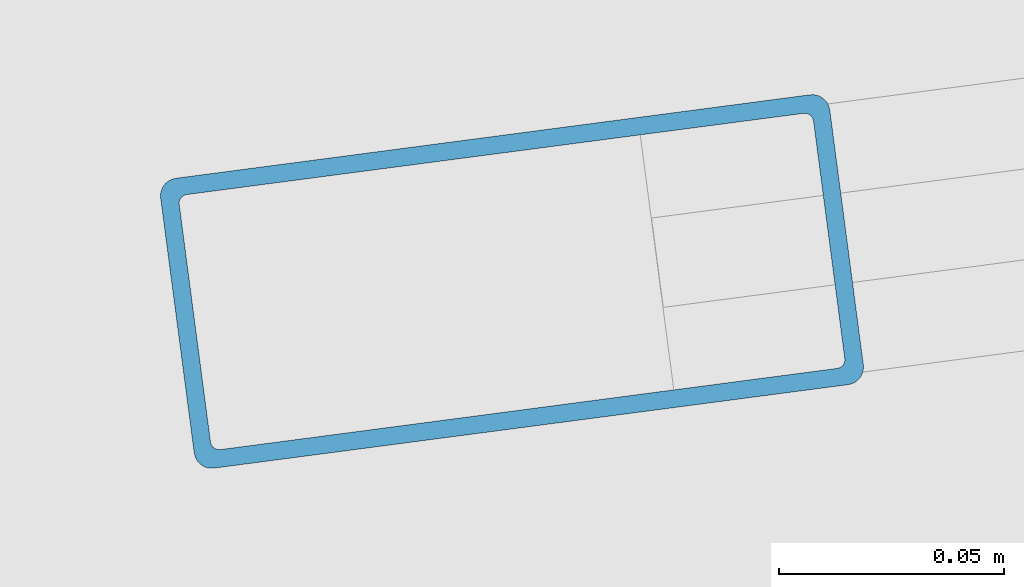
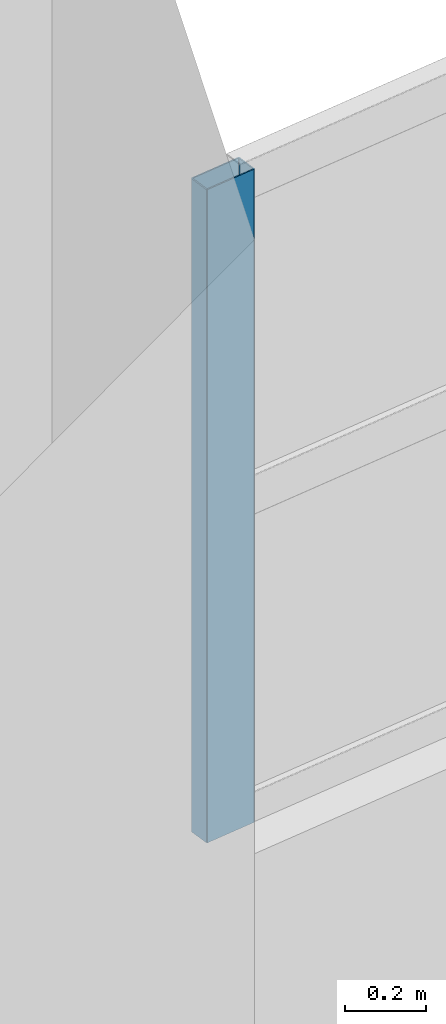
# One storey, part 66 of 108: 1 member, 1 element without a shape of its own.
"""IFC4 building model written with IfcOpenShell, lengths in metres."""

from ifc_helpers import new_model, si_unit, direction, frame, origin, origin_2d, place, context, subcontext, project, spatial, hollow_rectangle, extrude, material, layer, layer_set, material_profile, profile_set, type_object, element, aggregate, save


model = new_model("IFC4")

# Units and contexts
model_context = context("Model", 3, precision=1e-05, world=origin(), true_north=direction((0.0, 1.0)))
body_context = subcontext(model_context, "Body", "Model", "MODEL_VIEW")
ifc_project = project(units=[si_unit("LENGTHUNIT", "METRE"), si_unit("AREAUNIT", "SQUARE_METRE"), si_unit("VOLUMEUNIT", "CUBIC_METRE"), si_unit("PLANEANGLEUNIT", "RADIAN"), si_unit("MASSUNIT", "GRAM", prefix="KILO")], contexts=[model_context])

# Site, building, storey
site_placement = place(None, origin())
site = spatial("IfcSite", under=ifc_project, at=site_placement, CompositionType="ELEMENT")
building_placement = place(site_placement, origin())
building = spatial("IfcBuilding", under=site, at=building_placement, Name="Vespera Passage Community Centre", CompositionType="ELEMENT")
storey_placement = place(building_placement, frame((0.0, 0.0, 12.60009765625)))
storey = spatial("IfcBuildingStorey", under=building, at=storey_placement, Name="L03", CompositionType="ELEMENT", Elevation=12.60009765625)

# Curtain wall, member
ifc_material_1 = material(Name="Anodized aluminium 6063-T6", Category="aluminium")
ifc_layer = layer(ifc_material_1, 0.159912109375)
ifc_layer_set = layer_set([ifc_layer], Name="Anodized aluminium 6063-T6")
curtain_wall_type = type_object("IfcCurtainWallType", Name="CW-43E", PredefinedType="NOTDEFINED", material=ifc_layer_set)
curtain_wall_placement = place(storey_placement, origin())
curtain_wall = element("IfcCurtainWall", 1, at=curtain_wall_placement, inside=storey, type_object=curtain_wall_type, Name="V4 L03 Outer Ribbon Curtain Wall 6", PredefinedType="NOTDEFINED")
ifc_material_2 = material(Name="Anodized aluminium 6063-T6", Category="aluminium")
ifc_material_profile = material_profile(ifc_material_2, hollow_rectangle(XDim=0.06494140625, YDim=0.14990234375, WallThickness=0.00390625, InnerFilletRadius=0.001953125, OuterFilletRadius=0.00390625, at=origin_2d()), Name="ALU150X65X4")
ifc_profile_set = profile_set([ifc_material_profile], Name="Anodized aluminium 6063-T6")
member_type = type_object("IfcMemberType", Name="MB-CWM-150E", PredefinedType="MULLION", material=ifc_profile_set)
member_placement = place(storey_placement, frame((66.688720703125, 110.11083984375, 0.81982421875), z_axis=(0.0, 0.0, 1.0), x_axis=(-0.130530818696, 0.991444252276, 0.0)))
member = element("IfcMember", 2, at=member_placement, type_object=member_type, Name="CW-43E mullion 1", PredefinedType="MULLION", context=body_context, shape_type="SweptSolid", body=[
    extrude(hollow_rectangle(XDim=0.06494140625, YDim=0.14990234375, WallThickness=0.00390625, InnerFilletRadius=0.001953125, OuterFilletRadius=0.00390625, at=origin_2d()), origin(), (0.0, 0.0, 1.0), 1.965576171875),
])
aggregate(curtain_wall, [member])

save(model, "model.ifc")
